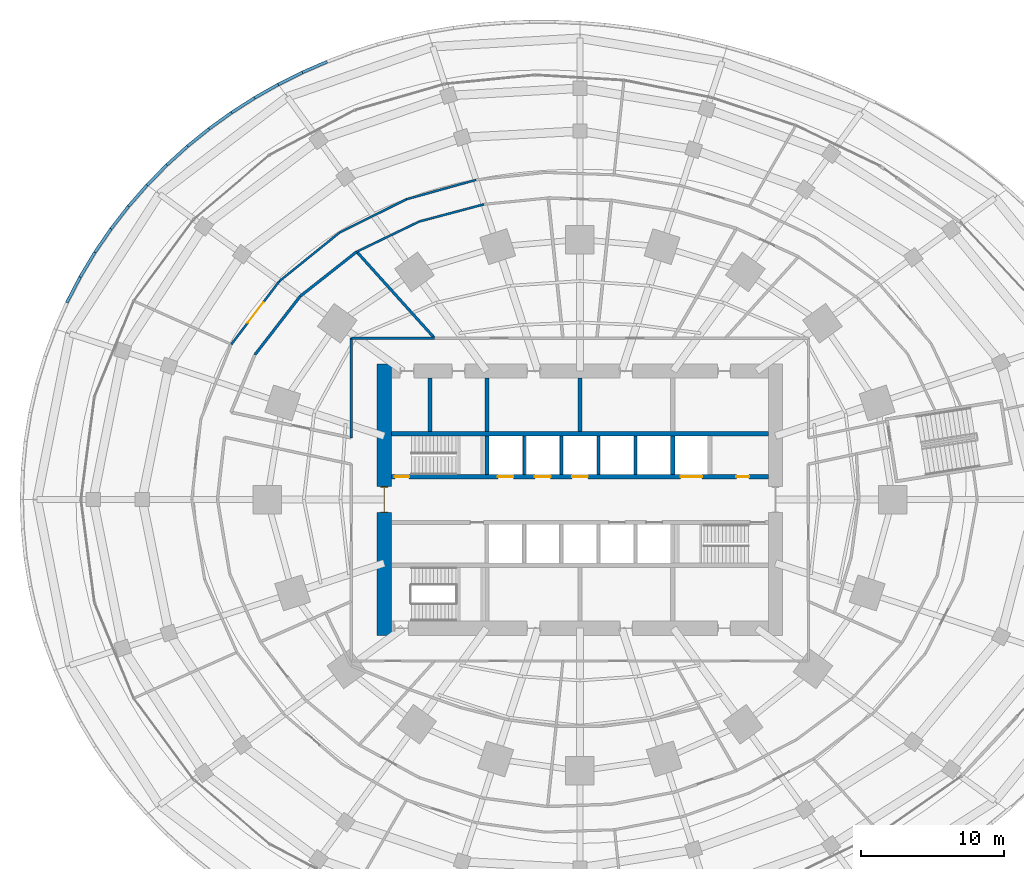
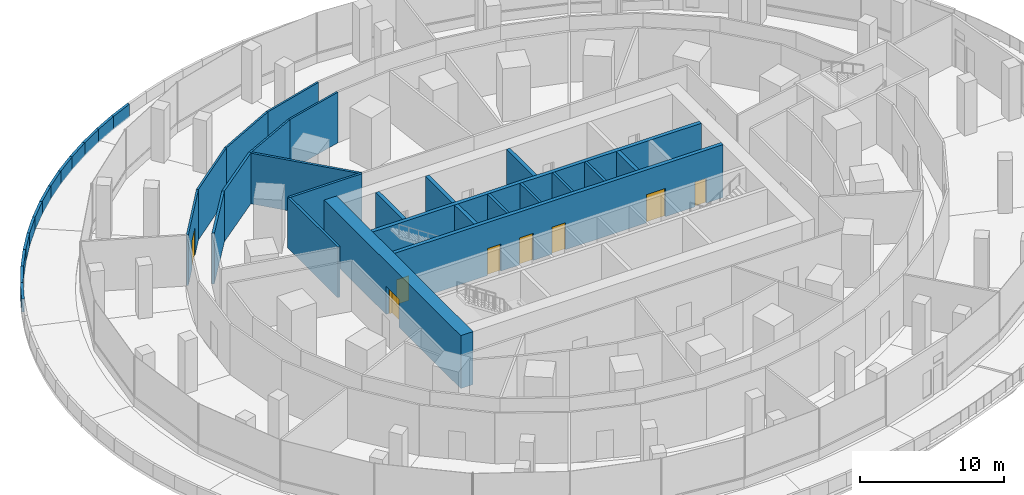
# One storey, part 21 of 27: 36 walls, 8 doors, 8 openings.
"""IFC4 building model written with IfcOpenShell, lengths in metres."""

from ifc_helpers import new_model, si_unit, direction, frame, frame_2d, origin, place, context, subcontext, project, spatial, rectangle, extrude, material, layer, layer_set, type_object, element, fill, save


model = new_model("IFC4")

# Units and contexts
model_context = context("Model", 3, precision=1e-05, world=origin(), true_north=direction((0.0, 1.0)))
body_context = subcontext(model_context, "Body", "Model", "MODEL_VIEW")
ifc_project = project(units=[si_unit("LENGTHUNIT", "METRE"), si_unit("AREAUNIT", "SQUARE_METRE"), si_unit("VOLUMEUNIT", "CUBIC_METRE"), si_unit("PLANEANGLEUNIT", "RADIAN"), si_unit("MASSUNIT", "GRAM", prefix="KILO")], contexts=[model_context])

# Site, building, storey
site_placement = place(None, origin())
site = spatial("IfcSite", under=ifc_project, at=site_placement, CompositionType="ELEMENT")
building_placement = place(site_placement, origin())
building = spatial("IfcBuilding", under=site, at=building_placement, Name="Marramba Exchange Tower", CompositionType="ELEMENT")
storey_placement = place(building_placement, frame((0.0, 0.0, 10.60009765625)))
storey = spatial("IfcBuildingStorey", under=building, at=storey_placement, Name="L02", CompositionType="ELEMENT", Elevation=10.60009765625)

# Walls
ifc_material_1 = material(Name="Concrete N50", Category="concrete")
ifc_layer_1 = layer(ifc_material_1, 0.199951171875)
ifc_layer_set_1 = layer_set([ifc_layer_1], Name="Core shaft wall 200")
wall_type_1 = type_object("IfcWallType", Name="Core shaft wall 200", PredefinedType="SHEAR", material=ifc_layer_set_1)
for number, where, z_axis, x_axis, name in (
    (1, (-3.89990234375, 1.75, 0.0), (0.0, 0.0, 1.0), (0.0, 1.0, 0.0), "Core wall SHN1 L02"),
    (2, (-1.300048828125, 1.75, 0.0), (0.0, 0.0, 1.0), (0.0, 1.0, 0.0), "Core wall SHN2 L02"),
    (3, (1.300048828125, 1.75, 0.0), (0.0, 0.0, 1.0), (0.0, 1.0, 0.0), "Core wall SHN3 L02"),
    (4, (3.89990234375, 1.75, 0.0), (0.0, 0.0, 1.0), (0.0, 1.0, 0.0), "Core wall SHN4 L02"),
):
    element("IfcWall", number, at=place(storey_placement, frame(where, z_axis=z_axis, x_axis=x_axis)), inside=storey, type_object=wall_type_1, Name=name, PredefinedType="SHEAR", context=body_context, shape_type="SweptSolid", body=[
        extrude(rectangle(XDim=2.699951171875, YDim=0.199951171875, at=frame_2d((1.35009765625, 0.0))), origin(), (0.0, 0.0, 1.0), 4.5),
    ])

# Wall, opening, door
ifc_layer_2 = layer(ifc_material_1, 1.0)
ifc_layer_set_2 = layer_set([ifc_layer_2], Name="Core wall 1000")
wall_type_2 = type_object("IfcWallType", Name="Core wall 1000", PredefinedType="SHEAR", material=ifc_layer_set_2)
wall_1_placement = place(storey_placement, frame((-13.699951171875, 9.5, 0.0), z_axis=(0.0, 0.0, 1.0), x_axis=(0.0, -1.0, 0.0)))
wall_1 = element("IfcWall", 5, at=wall_1_placement, inside=storey, type_object=wall_type_2, Name="Core wall W L02", PredefinedType="SHEAR", context=body_context, shape_type="SweptSolid", body=[
    extrude(rectangle(XDim=19.0, YDim=1.0, at=frame_2d((9.5, 0.0))), origin(), (0.0, 0.0, 1.0), 4.5),
])
opening_1_placement = place(wall_1_placement, frame((8.60009765625, 0.0, 0.0)))
opening_1 = element("IfcOpeningElement", 6, at=opening_1_placement, cuts=wall_1, Name="Opening D1", PredefinedType="OPENING", context=body_context, shape_type="SweptSolid", body=[
    extrude(rectangle(XDim=1.800048828125, YDim=2.39990234375, at=frame_2d((0.89990234375, 1.199951171875))), frame((0.0, 0.510009765625, 0.0), z_axis=(0.0, -1.0, 0.0), x_axis=(1.0, 0.0, 0.0)), (0.0, 0.0, 1.0), 1.02001953125),
])
ifc_material_2 = material(Name="Steel-framed door", Category="steel")
door_type_1 = type_object("IfcDoorType", Name="Lobby exit door 1800x2400", OperationType="DOUBLE_DOOR_SINGLE_SWING", PredefinedType="DOOR", material=ifc_material_2)
door_1_placement = place(opening_1_placement, origin())
door_1 = element("IfcDoor", 7, at=door_1_placement, inside=storey, type_object=door_type_1, Name="D1 lobby exit west L02", OperationType="DOUBLE_DOOR_SINGLE_SWING", OverallHeight=2.39990234375, OverallWidth=1.800048828125, PredefinedType="DOOR", context=body_context, shape_type="SweptSolid", body=[
    extrude(rectangle(XDim=1.719970703125, YDim=2.35986328125, at=frame_2d((0.89990234375, 1.179931640625))), frame((0.0, 0.02490234375, 0.0), z_axis=(0.0, -1.0, 0.0), x_axis=(1.0, 0.0, 0.0)), (0.0, 0.0, 1.0), 0.050048828125),
    extrude(rectangle(XDim=0.04, YDim=2.39990234375, at=frame_2d((0.02001953125, 1.199951171875))), frame((0.0, 0.25, 0.0), z_axis=(0.0, -1.0, 0.0), x_axis=(1.0, 0.0, 0.0)), (0.0, 0.0, 1.0), 0.5),
    extrude(rectangle(XDim=0.04, YDim=2.39990234375, at=frame_2d((1.780029296875, 1.199951171875))), frame((0.0, 0.25, 0.0), z_axis=(0.0, -1.0, 0.0), x_axis=(1.0, 0.0, 0.0)), (0.0, 0.0, 1.0), 0.5),
    extrude(rectangle(XDim=1.719970703125, YDim=0.04, at=frame_2d((0.89990234375, 2.3798828125))), frame((0.0, 0.25, 0.0), z_axis=(0.0, -1.0, 0.0), x_axis=(1.0, 0.0, 0.0)), (0.0, 0.0, 1.0), 0.5),
])
fill(opening_1, door_1)

# Wall, openings, doors
ifc_layer_3 = layer(ifc_material_1, 0.300048828125)
ifc_layer_set_3 = layer_set([ifc_layer_3], Name="Core wall 300")
wall_type_3 = type_object("IfcWallType", Name="Core wall 300", PredefinedType="SHEAR", material=ifc_layer_set_3)
wall_2_placement = place(storey_placement, frame((-13.199951171875, 1.60009765625, 0.0), z_axis=(0.0, 0.0, 1.0), x_axis=(1.0, 0.0, 0.0)))
wall_2 = element("IfcWall", 8, at=wall_2_placement, inside=storey, type_object=wall_type_3, Name="Core wall LN L02", PredefinedType="SHEAR", context=body_context, shape_type="SweptSolid", body=[
    extrude(rectangle(XDim=26.39990234375, YDim=0.300048828125, at=frame_2d((13.199951171875, 0.0))), origin(), (0.0, 0.0, 1.0), 4.5),
])
opening_2_placement = place(wall_2_placement, frame((0.25, 0.0, 0.0)))
opening_2 = element("IfcOpeningElement", 9, at=opening_2_placement, cuts=wall_2, Name="Opening D2", PredefinedType="OPENING", context=body_context, shape_type="SweptSolid", body=[
    extrude(rectangle(XDim=1.0, YDim=2.10009765625, at=frame_2d((0.5, 1.050048828125))), frame((0.0, 0.159912109375, 0.0), z_axis=(0.0, -1.0, 0.0), x_axis=(1.0, 0.0, 0.0)), (0.0, 0.0, 1.0), 0.320068359375),
])
opening_3_placement = place(wall_2_placement, frame((20.25, 0.0, 0.0)))
opening_3 = element("IfcOpeningElement", 10, at=opening_3_placement, cuts=wall_2, Name="Opening LD3", PredefinedType="OPENING", context=body_context, shape_type="SweptSolid", body=[
    extrude(rectangle(XDim=1.5, YDim=2.39990234375, at=frame_2d((0.75, 1.199951171875))), frame((0.0, 0.159912109375, 0.0), z_axis=(0.0, -1.0, 0.0), x_axis=(1.0, 0.0, 0.0)), (0.0, 0.0, 1.0), 0.320068359375),
])
opening_4_placement = place(wall_2_placement, frame((7.449951171875, 0.0, 0.0)))
opening_4 = element("IfcOpeningElement", 11, at=opening_4_placement, cuts=wall_2, Name="Opening LD1", PredefinedType="OPENING", context=body_context, shape_type="SweptSolid", body=[
    extrude(rectangle(XDim=1.10009765625, YDim=2.300048828125, at=frame_2d((0.550048828125, 1.14990234375))), frame((0.0, 0.159912109375, 0.0), z_axis=(0.0, -1.0, 0.0), x_axis=(1.0, 0.0, 0.0)), (0.0, 0.0, 1.0), 0.320068359375),
])
opening_5_placement = place(wall_2_placement, frame((10.050048828125, 0.0, 0.0)))
opening_5 = element("IfcOpeningElement", 12, at=opening_5_placement, cuts=wall_2, Name="Opening LD1", PredefinedType="OPENING", context=body_context, shape_type="SweptSolid", body=[
    extrude(rectangle(XDim=1.10009765625, YDim=2.300048828125, at=frame_2d((0.550048828125, 1.14990234375))), frame((0.0, 0.159912109375, 0.0), z_axis=(0.0, -1.0, 0.0), x_axis=(1.0, 0.0, 0.0)), (0.0, 0.0, 1.0), 0.320068359375),
])
opening_6_placement = place(wall_2_placement, frame((12.64990234375, 0.0, 0.0)))
opening_6 = element("IfcOpeningElement", 13, at=opening_6_placement, cuts=wall_2, Name="Opening LD1", PredefinedType="OPENING", context=body_context, shape_type="SweptSolid", body=[
    extrude(rectangle(XDim=1.10009765625, YDim=2.300048828125, at=frame_2d((0.550048828125, 1.14990234375))), frame((0.0, 0.159912109375, 0.0), z_axis=(0.0, -1.0, 0.0), x_axis=(1.0, 0.0, 0.0)), (0.0, 0.0, 1.0), 0.320068359375),
])
opening_7_placement = place(wall_2_placement, frame((24.14990234375, 0.0, 0.0)))
opening_7 = element("IfcOpeningElement", 14, at=opening_7_placement, cuts=wall_2, Name="Opening D5", PredefinedType="OPENING", context=body_context, shape_type="SweptSolid", body=[
    extrude(rectangle(XDim=0.89990234375, YDim=2.10009765625, at=frame_2d((0.449951171875, 1.050048828125))), frame((0.0, 0.159912109375, 0.0), z_axis=(0.0, -1.0, 0.0), x_axis=(1.0, 0.0, 0.0)), (0.0, 0.0, 1.0), 0.320068359375),
])
door_type_2 = type_object("IfcDoorType", Name="Goods lift landing door 1500x2400", OperationType="SLIDING_TO_LEFT", PredefinedType="DOOR", material=ifc_material_2)
door_2_placement = place(opening_3_placement, origin())
door_2 = element("IfcDoor", 15, at=door_2_placement, inside=storey, type_object=door_type_2, Name="GL1 landing door L02", OperationType="SLIDING_TO_LEFT", OverallHeight=2.39990234375, OverallWidth=1.5, PredefinedType="DOOR", context=body_context, shape_type="SweptSolid", body=[
    extrude(rectangle(XDim=1.5, YDim=2.39990234375, at=frame_2d((0.75, 1.199951171875))), frame((0.0, 0.02490234375, 0.0), z_axis=(0.0, -1.0, 0.0), x_axis=(1.0, 0.0, 0.0)), (0.0, 0.0, 1.0), 0.050048828125),
])
fill(opening_3, door_2)
door_type_3 = type_object("IfcDoorType", Name="Lift landing door 1100x2300", OperationType="SLIDING_TO_LEFT", PredefinedType="DOOR", material=ifc_material_2)
door_3_placement = place(opening_4_placement, origin())
door_3 = element("IfcDoor", 16, at=door_3_placement, inside=storey, type_object=door_type_3, Name="LA1 landing door L02", OperationType="SLIDING_TO_LEFT", OverallHeight=2.300048828125, OverallWidth=1.10009765625, PredefinedType="DOOR", context=body_context, shape_type="SweptSolid", body=[
    extrude(rectangle(XDim=1.10009765625, YDim=2.300048828125, at=frame_2d((0.550048828125, 1.14990234375))), frame((0.0, 0.02490234375, 0.0), z_axis=(0.0, -1.0, 0.0), x_axis=(1.0, 0.0, 0.0)), (0.0, 0.0, 1.0), 0.050048828125),
])
fill(opening_4, door_3)
door_4_placement = place(opening_5_placement, origin())
door_4 = element("IfcDoor", 17, at=door_4_placement, inside=storey, type_object=door_type_3, Name="LA2 landing door L02", OperationType="SLIDING_TO_LEFT", OverallHeight=2.300048828125, OverallWidth=1.10009765625, PredefinedType="DOOR", context=body_context, shape_type="SweptSolid", body=[
    extrude(rectangle(XDim=1.10009765625, YDim=2.300048828125, at=frame_2d((0.550048828125, 1.14990234375))), frame((0.0, 0.02490234375, 0.0), z_axis=(0.0, -1.0, 0.0), x_axis=(1.0, 0.0, 0.0)), (0.0, 0.0, 1.0), 0.050048828125),
])
fill(opening_5, door_4)
door_5_placement = place(opening_6_placement, origin())
door_5 = element("IfcDoor", 18, at=door_5_placement, inside=storey, type_object=door_type_3, Name="LA3 landing door L02", OperationType="SLIDING_TO_RIGHT", OverallHeight=2.300048828125, OverallWidth=1.10009765625, PredefinedType="DOOR", context=body_context, shape_type="SweptSolid", body=[
    extrude(rectangle(XDim=1.10009765625, YDim=2.300048828125, at=frame_2d((0.550048828125, 1.14990234375))), frame((0.0, 0.02490234375, 0.0), z_axis=(0.0, -1.0, 0.0), x_axis=(1.0, 0.0, 0.0)), (0.0, 0.0, 1.0), 0.050048828125),
])
fill(opening_6, door_5)
door_type_4 = type_object("IfcDoorType", Name="Service door 900x2100", OperationType="SINGLE_SWING_LEFT", PredefinedType="DOOR", material=ifc_material_2)
door_6_placement = place(opening_7_placement, origin())
door_6 = element("IfcDoor", 19, at=door_6_placement, inside=storey, type_object=door_type_4, Name="D5 riser L02", OperationType="SINGLE_SWING_RIGHT", OverallHeight=2.10009765625, OverallWidth=0.89990234375, PredefinedType="DOOR", context=body_context, shape_type="SweptSolid", body=[
    extrude(rectangle(XDim=0.89990234375, YDim=2.10009765625, at=frame_2d((0.449951171875, 1.050048828125))), frame((0.0, 0.02490234375, 0.0), z_axis=(0.0, -1.0, 0.0), x_axis=(1.0, 0.0, 0.0)), (0.0, 0.0, 1.0), 0.050048828125),
])
fill(opening_7, door_6)
door_type_5 = type_object("IfcDoorType", Name="Stair door 1000x2100", OperationType="SINGLE_SWING_LEFT", PredefinedType="DOOR", material=ifc_material_2)
door_7_placement = place(opening_2_placement, origin())
door_7 = element("IfcDoor", 20, at=door_7_placement, inside=storey, type_object=door_type_5, Name="D2 stair ST1 L02", OperationType="SINGLE_SWING_LEFT", OverallHeight=2.10009765625, OverallWidth=1.0, PredefinedType="DOOR", context=body_context, shape_type="SweptSolid", body=[
    extrude(rectangle(XDim=1.0, YDim=2.10009765625, at=frame_2d((0.5, 1.050048828125))), frame((0.0, 0.02490234375, 0.0), z_axis=(0.0, -1.0, 0.0), x_axis=(1.0, 0.0, 0.0)), (0.0, 0.0, 1.0), 0.050048828125),
])
fill(opening_2, door_7)

# Walls
wall_3_placement = place(storey_placement, frame((-13.199951171875, 4.60009765625, 0.0), z_axis=(0.0, 0.0, 1.0), x_axis=(1.0, 0.0, 0.0)))
element("IfcWall", 21, at=wall_3_placement, inside=storey, type_object=wall_type_3, Name="Core wall BN L02", PredefinedType="SHEAR", context=body_context, shape_type="SweptSolid", body=[
    extrude(rectangle(XDim=26.39990234375, YDim=0.300048828125, at=frame_2d((13.199951171875, 0.0))), origin(), (0.0, 0.0, 1.0), 4.5),
])
wall_4_placement = place(storey_placement, frame((-6.5, 1.75, 0.0), z_axis=(0.0, 0.0, 1.0), x_axis=(0.0, 1.0, 0.0)))
element("IfcWall", 22, at=wall_4_placement, inside=storey, type_object=wall_type_3, Name="Core wall X0Na L02", PredefinedType="SHEAR", context=body_context, shape_type="SweptSolid", body=[
    extrude(rectangle(XDim=2.699951171875, YDim=0.300048828125, at=frame_2d((1.35009765625, 0.0))), origin(), (0.0, 0.0, 1.0), 4.5),
])
wall_5_placement = place(storey_placement, frame((-6.5, 4.75, 0.0), z_axis=(0.0, 0.0, 1.0), x_axis=(0.0, 1.0, 0.0)))
element("IfcWall", 23, at=wall_5_placement, inside=storey, type_object=wall_type_3, Name="Core wall X0Nb L02", PredefinedType="SHEAR", context=body_context, shape_type="SweptSolid", body=[
    extrude(rectangle(XDim=3.75, YDim=0.300048828125, at=frame_2d((1.875, 0.0))), origin(), (0.0, 0.0, 1.0), 4.5),
])
wall_6_placement = place(storey_placement, frame((6.5, 1.75, 0.0), z_axis=(0.0, 0.0, 1.0), x_axis=(0.0, 1.0, 0.0)))
element("IfcWall", 24, at=wall_6_placement, inside=storey, type_object=wall_type_3, Name="Core wall X1Na L02", PredefinedType="SHEAR", context=body_context, shape_type="SweptSolid", body=[
    extrude(rectangle(XDim=2.699951171875, YDim=0.300048828125, at=frame_2d((1.35009765625, 0.0))), origin(), (0.0, 0.0, 1.0), 4.5),
])
for number, where, z_axis, x_axis, name in (
    (25, (0.0, 4.75, 0.0), (0.0, 0.0, 1.0), (0.0, 1.0, 0.0), "Core wall MN L02"),
    (26, (-10.5, 4.75, 0.0), (0.0, 0.0, 1.0), (0.0, 1.0, 0.0), "Core wall WD L02"),
):
    element("IfcWall", number, at=place(storey_placement, frame(where, z_axis=z_axis, x_axis=x_axis)), inside=storey, type_object=wall_type_3, Name=name, PredefinedType="SHEAR", context=body_context, shape_type="SweptSolid", body=[
        extrude(rectangle(XDim=3.75, YDim=0.300048828125, at=frame_2d((1.875, 0.0))), origin(), (0.0, 0.0, 1.0), 4.5),
    ])
ifc_material_3 = material(Name="Core-filled concrete blockwork, rendered", Category="masonry")
ifc_layer_4 = layer(ifc_material_3, 0.18994140625)
ifc_layer_set_4 = layer_set([ifc_layer_4], Name="Equipment room wall 190")
wall_type_4 = type_object("IfcWallType", Name="Equipment room wall 190", PredefinedType="SOLIDWALL", material=ifc_layer_set_4)
wall_7_placement = place(storey_placement, frame((-10.174560546875, 11.300048828125, 0.0), z_axis=(0.0, 0.0, 1.0), x_axis=(-0.669125325145, 0.74314958067, 0.0)))
element("IfcWall", 27, at=wall_7_placement, inside=storey, type_object=wall_type_4, Name="Equipment room wall L02 94", PredefinedType="SOLIDWALL", context=body_context, shape_type="SweptSolid", body=[
    extrude(rectangle(XDim=8.146240234375, YDim=0.18994140625, at=frame_2d((4.0732421875, 0.0))), origin(), (0.0, 0.0, 1.0), 4.2998046875),
])
wall_8_placement = place(storey_placement, frame((-19.587158203125, 14.230712890625, 0.0), z_axis=(0.0, 0.0, 1.0), x_axis=(0.785301291608, 0.619113787117, 0.0)))
element("IfcWall", 28, at=wall_8_placement, inside=storey, type_object=wall_type_4, Name="Equipment room wall L02 96", PredefinedType="SOLIDWALL", context=body_context, shape_type="SweptSolid", body=[
    extrude(rectangle(XDim=5.044677734375, YDim=0.18994140625, at=frame_2d((2.5224609375, 0.0))), origin(), (0.0, 0.0, 1.0), 4.2998046875),
])
wall_9_placement = place(storey_placement, frame((-10.174560546875, 11.300048828125, 0.0), z_axis=(0.0, 0.0, 1.0), x_axis=(-1.0, 0.0, 0.0)))
element("IfcWall", 29, at=wall_9_placement, inside=storey, type_object=wall_type_4, Name="Equipment room wall L02 97", PredefinedType="SOLIDWALL", context=body_context, shape_type="SweptSolid", body=[
    extrude(rectangle(XDim=5.825439453125, YDim=0.18994140625, at=frame_2d((2.91259765625, 0.0))), origin(), (0.0, 0.0, 1.0), 4.2998046875),
])
wall_10_placement = place(storey_placement, frame((-22.760498046875, 10.133544921875, 0.0), z_axis=(0.0, 0.0, 1.0), x_axis=(0.612334708693, 0.790598636812, 0.0)))
element("IfcWall", 30, at=wall_10_placement, inside=storey, type_object=wall_type_4, Name="Equipment room wall L02 99", PredefinedType="SOLIDWALL", context=body_context, shape_type="SweptSolid", body=[
    extrude(rectangle(XDim=5.182373046875, YDim=0.18994140625, at=frame_2d((2.59130859375, 0.0))), origin(), (0.0, 0.0, 1.0), 4.2998046875),
])
wall_11_placement = place(storey_placement, frame((-16.0, 11.300048828125, 0.0), z_axis=(0.0, 0.0, 1.0), x_axis=(0.0, -1.0, 0.0)))
element("IfcWall", 31, at=wall_11_placement, inside=storey, type_object=wall_type_4, Name="Equipment room wall L02 100", PredefinedType="SOLIDWALL", context=body_context, shape_type="SweptSolid", body=[
    extrude(rectangle(XDim=6.97900390625, YDim=0.18994140625, at=frame_2d((3.489501953125, 0.0))), origin(), (0.0, 0.0, 1.0), 4.2998046875),
])
ifc_material_4 = material(Name="Concrete N40", Category="concrete")
ifc_layer_5 = layer(ifc_material_4, 0.199951171875)
ifc_layer_set_5 = layer_set([ifc_layer_5], Name="Roof parapet 200")
wall_type_5 = type_object("IfcWallType", Name="Roof parapet 200", PredefinedType="PARAPET", material=ifc_layer_set_5)
wall_12_placement = place(storey_placement, frame((-17.70068359375, 30.65869140625, 0.0), z_axis=(0.0, 0.0, 1.0), x_axis=(-0.917082452018, -0.398697599942, 0.0)))
element("IfcWall", 32, at=wall_12_placement, inside=storey, type_object=wall_type_5, Name="Parapet L02 bay 07", PredefinedType="PARAPET", context=body_context, shape_type="SweptSolid", body=[
    extrude(rectangle(XDim=1.878662109375, YDim=0.199951171875, at=frame_2d((0.939453125, 0.0))), origin(), (0.0, 0.0, 1.0), 1.099853515625),
])
wall_13_placement = place(storey_placement, frame((-19.423583984375, 29.90966796875, 0.0), z_axis=(0.0, 0.0, 1.0), x_axis=(-0.895045563727, -0.445974706516, 0.0)))
element("IfcWall", 33, at=wall_13_placement, inside=storey, type_object=wall_type_5, Name="Parapet L02 bay 07", PredefinedType="PARAPET", context=body_context, shape_type="SweptSolid", body=[
    extrude(rectangle(XDim=1.892578125, YDim=0.199951171875, at=frame_2d((0.9462890625, 0.0))), origin(), (0.0, 0.0, 1.0), 1.099853515625),
])
wall_14_placement = place(storey_placement, frame((-21.117431640625, 29.065673828125, 0.0), z_axis=(0.0, 0.0, 1.0), x_axis=(-0.870128372589, -0.49282513655, 0.0)))
element("IfcWall", 34, at=wall_14_placement, inside=storey, type_object=wall_type_5, Name="Parapet L02 bay 08", PredefinedType="PARAPET", context=body_context, shape_type="SweptSolid", body=[
    extrude(rectangle(XDim=1.90625, YDim=0.199951171875, at=frame_2d((0.953125, 0.0))), origin(), (0.0, 0.0, 1.0), 1.099853515625),
])
wall_15_placement = place(storey_placement, frame((-22.776123046875, 28.126220703125, 0.0), z_axis=(0.0, 0.0, 1.0), x_axis=(-0.842160518729, -0.53922691021, 0.0)))
element("IfcWall", 35, at=wall_15_placement, inside=storey, type_object=wall_type_5, Name="Parapet L02 bay 08", PredefinedType="PARAPET", context=body_context, shape_type="SweptSolid", body=[
    extrude(rectangle(XDim=1.919677734375, YDim=0.199951171875, at=frame_2d((0.9599609375, 0.0))), origin(), (0.0, 0.0, 1.0), 1.099853515625),
])
wall_16_placement = place(storey_placement, frame((-24.392822265625, 27.091064453125, 0.0), z_axis=(0.0, 0.0, 1.0), x_axis=(-0.811371406803, -0.584530957454, 0.0)))
element("IfcWall", 36, at=wall_16_placement, inside=storey, type_object=wall_type_5, Name="Parapet L02 bay 08", PredefinedType="PARAPET", context=body_context, shape_type="SweptSolid", body=[
    extrude(rectangle(XDim=1.932861328125, YDim=0.199951171875, at=frame_2d((0.96630859375, 0.0))), origin(), (0.0, 0.0, 1.0), 1.099853515625),
])
wall_17_placement = place(storey_placement, frame((-25.961181640625, 25.961181640625, 0.0), z_axis=(0.0, 0.0, 1.0), x_axis=(-0.777428951091, -0.62897076721, 0.0)))
element("IfcWall", 37, at=wall_17_placement, inside=storey, type_object=wall_type_5, Name="Parapet L02 bay 08", PredefinedType="PARAPET", context=body_context, shape_type="SweptSolid", body=[
    extrude(rectangle(XDim=1.945556640625, YDim=0.199951171875, at=frame_2d((0.97265625, 0.0))), origin(), (0.0, 0.0, 1.0), 1.099853515625),
])
wall_18_placement = place(storey_placement, frame((-27.4736328125, 24.737548828125, 0.0), z_axis=(0.0, 0.0, 1.0), x_axis=(-0.74068440055, -0.671853122923, 0.0)))
element("IfcWall", 38, at=wall_18_placement, inside=storey, type_object=wall_type_5, Name="Parapet L02 bay 08", PredefinedType="PARAPET", context=body_context, shape_type="SweptSolid", body=[
    extrude(rectangle(XDim=1.9580078125, YDim=0.199951171875, at=frame_2d((0.97900390625, 0.0))), origin(), (0.0, 0.0, 1.0), 1.099853515625),
])
wall_19_placement = place(storey_placement, frame((-28.923828125, 23.422119140625, 0.0), z_axis=(0.0, 0.0, 1.0), x_axis=(-0.701006541383, -0.713154842189, 0.0)))
element("IfcWall", 39, at=wall_19_placement, inside=storey, type_object=wall_type_5, Name="Parapet L02 bay 08", PredefinedType="PARAPET", context=body_context, shape_type="SweptSolid", body=[
    extrude(rectangle(XDim=1.969482421875, YDim=0.199951171875, at=frame_2d((0.98486328125, 0.0))), origin(), (0.0, 0.0, 1.0), 1.099853515625),
])
wall_20_placement = place(storey_placement, frame((-30.304443359375, 22.017578125, 0.0), z_axis=(0.0, 0.0, 1.0), x_axis=(-0.658452248257, -0.752622506151, 0.0)))
element("IfcWall", 40, at=wall_20_placement, inside=storey, type_object=wall_type_5, Name="Parapet L02 bay 09", PredefinedType="PARAPET", context=body_context, shape_type="SweptSolid", body=[
    extrude(rectangle(XDim=1.980712890625, YDim=0.199951171875, at=frame_2d((0.990234375, 0.0))), origin(), (0.0, 0.0, 1.0), 1.099853515625),
])
wall_21_placement = place(storey_placement, frame((-31.608642578125, 20.52685546875, 0.0), z_axis=(0.0, 0.0, 1.0), x_axis=(-0.612929786797, -0.790137378218, 0.0)))
element("IfcWall", 41, at=wall_21_placement, inside=storey, type_object=wall_type_5, Name="Parapet L02 bay 09", PredefinedType="PARAPET", context=body_context, shape_type="SweptSolid", body=[
    extrude(rectangle(XDim=1.99072265625, YDim=0.199951171875, at=frame_2d((0.995361328125, 0.0))), origin(), (0.0, 0.0, 1.0), 1.099853515625),
])
wall_22_placement = place(storey_placement, frame((-32.828857421875, 18.953857421875, 0.0), z_axis=(0.0, 0.0, 1.0), x_axis=(-0.564740783421, -0.825268348806, 0.0)))
element("IfcWall", 42, at=wall_22_placement, inside=storey, type_object=wall_type_5, Name="Parapet L02 bay 09", PredefinedType="PARAPET", context=body_context, shape_type="SweptSolid", body=[
    extrude(rectangle(XDim=2.000732421875, YDim=0.199951171875, at=frame_2d((1.00048828125, 0.0))), origin(), (0.0, 0.0, 1.0), 1.099853515625),
])
wall_23_placement = place(storey_placement, frame((-33.958740234375, 17.302734375, 0.0), z_axis=(0.0, 0.0, 1.0), x_axis=(-0.513959610248, -0.857814384954, 0.0)))
element("IfcWall", 43, at=wall_23_placement, inside=storey, type_object=wall_type_5, Name="Parapet L02 bay 09", PredefinedType="PARAPET", context=body_context, shape_type="SweptSolid", body=[
    extrude(rectangle(XDim=2.00927734375, YDim=0.199951171875, at=frame_2d((1.004638671875, 0.0))), origin(), (0.0, 0.0, 1.0), 1.099853515625),
])
wall_24_placement = place(storey_placement, frame((-34.991455078125, 15.5791015625, 0.0), z_axis=(0.0, 0.0, 1.0), x_axis=(-0.460430217166, -0.88769590239, 0.0)))
element("IfcWall", 44, at=wall_24_placement, inside=storey, type_object=wall_type_5, Name="Parapet L02 bay 09", PredefinedType="PARAPET", context=body_context, shape_type="SweptSolid", body=[
    extrude(rectangle(XDim=2.01708984375, YDim=0.199951171875, at=frame_2d((1.008544921875, 0.0))), origin(), (0.0, 0.0, 1.0), 1.099853515625),
])
ifc_material_5 = material(Name="Fire-rated plasterboard on steel studs, acoustic insulation", Category="steel")
ifc_layer_6 = layer(ifc_material_5, 0.14990234375)
ifc_layer_set_6 = layer_set([ifc_layer_6], Name="Tenancy wall 150")
wall_type_6 = type_object("IfcWallType", Name="Tenancy wall 150", PredefinedType="PARTITIONING", material=ifc_layer_set_6)
wall_25_placement = place(storey_placement, frame((-7.27294921875, 22.384033203125, 0.0), z_axis=(0.0, 0.0, 1.0), x_axis=(-0.963366864015, -0.26818703421, 0.0)))
element("IfcWall", 45, at=wall_25_placement, inside=storey, type_object=wall_type_6, Name="Tenancy wall L02 89", PredefinedType="PARTITIONING", context=body_context, shape_type="SweptSolid", body=[
    extrude(rectangle(XDim=5.05322265625, YDim=0.14990234375, at=frame_2d((2.526611328125, 0.0))), origin(), (0.0, 0.0, 1.0), 4.2998046875),
])
wall_26_placement = place(storey_placement, frame((-11.240966796875, 19.469970703125, 0.0), z_axis=(0.0, 0.0, 1.0), x_axis=(0.966463084347, 0.256805581314, 0.0)))
element("IfcWall", 46, at=wall_26_placement, inside=storey, type_object=wall_type_6, Name="Tenancy wall L02 90", PredefinedType="PARTITIONING", context=body_context, shape_type="SweptSolid", body=[
    extrude(rectangle(XDim=4.68115234375, YDim=0.14990234375, at=frame_2d((2.340576171875, 0.0))), origin(), (0.0, 0.0, 1.0), 4.2998046875),
])
wall_27_placement = place(storey_placement, frame((-12.14111328125, 21.02880859375, 0.0), z_axis=(0.0, 0.0, 1.0), x_axis=(-0.894985683097, -0.446094863287, 0.0)))
element("IfcWall", 47, at=wall_27_placement, inside=storey, type_object=wall_type_6, Name="Tenancy wall L02 92", PredefinedType="PARTITIONING", context=body_context, shape_type="SweptSolid", body=[
    extrude(rectangle(XDim=5.2392578125, YDim=0.14990234375, at=frame_2d((2.61962890625, 0.0))), origin(), (0.0, 0.0, 1.0), 4.2998046875),
])
wall_28_placement = place(storey_placement, frame((-15.62548828125, 17.35400390625, 0.0), z_axis=(0.0, 0.0, 1.0), x_axis=(0.900607821676, 0.434632662758, 0.0)))
element("IfcWall", 48, at=wall_28_placement, inside=storey, type_object=wall_type_6, Name="Tenancy wall L02 93", PredefinedType="PARTITIONING", context=body_context, shape_type="SweptSolid", body=[
    extrude(rectangle(XDim=4.868408203125, YDim=0.14990234375, at=frame_2d((2.43408203125, 0.0))), origin(), (0.0, 0.0, 1.0), 4.2998046875),
])
wall_29_placement = place(storey_placement, frame((-16.830078125, 18.691650390625, 0.0), z_axis=(0.0, 0.0, 1.0), x_axis=(-0.77794880786, -0.628327663206, 0.0)))
element("IfcWall", 49, at=wall_29_placement, inside=storey, type_object=wall_type_6, Name="Tenancy wall L02 95", PredefinedType="PARTITIONING", context=body_context, shape_type="SweptSolid", body=[
    extrude(rectangle(XDim=5.415771484375, YDim=0.14990234375, at=frame_2d((2.7080078125, 0.0))), origin(), (0.0, 0.0, 1.0), 4.2998046875),
])

# Wall, opening, door
wall_30_placement = place(storey_placement, frame((-21.043212890625, 15.288818359375, 0.0), z_axis=(0.0, 0.0, 1.0), x_axis=(-0.605085496004, -0.79616050048, 0.0)))
wall_30 = element("IfcWall", 50, at=wall_30_placement, inside=storey, type_object=wall_type_6, Name="Tenancy wall L02 98", PredefinedType="PARTITIONING", context=body_context, shape_type="SweptSolid", body=[
    extrude(rectangle(XDim=5.555419921875, YDim=0.14990234375, at=frame_2d((2.77783203125, 0.0))), origin(), (0.0, 0.0, 1.0), 4.2998046875),
])
opening_8_placement = place(wall_30_placement, frame((1.85302734375, 0.0, 0.0)))
opening_8 = element("IfcOpeningElement", 51, at=opening_8_placement, cuts=wall_30, Name="Opening D18", PredefinedType="OPENING", context=body_context, shape_type="SweptSolid", body=[
    extrude(rectangle(XDim=1.800048828125, YDim=2.39990234375, at=frame_2d((0.89990234375, 1.199951171875))), frame((0.0, 0.0849609375, 0.0), z_axis=(0.0, -1.0, 0.0), x_axis=(1.0, 0.0, 0.0)), (0.0, 0.0, 1.0), 0.169921875),
])
door_type_6 = type_object("IfcDoorType", Name="Door pair 1800x2400", OperationType="DOUBLE_DOOR_SINGLE_SWING", PredefinedType="DOOR", material=ifc_material_2)
door_8_placement = place(opening_8_placement, origin())
door_8 = element("IfcDoor", 52, at=door_8_placement, inside=storey, type_object=door_type_6, Name="D18 Disaster Recovery Data Hall L02", OperationType="DOUBLE_DOOR_SINGLE_SWING", OverallHeight=2.39990234375, OverallWidth=1.800048828125, PredefinedType="DOOR", context=body_context, shape_type="SweptSolid", body=[
    extrude(rectangle(XDim=1.800048828125, YDim=2.39990234375, at=frame_2d((0.89990234375, 1.199951171875))), frame((0.0, 0.02490234375, 0.0), z_axis=(0.0, -1.0, 0.0), x_axis=(1.0, 0.0, 0.0)), (0.0, 0.0, 1.0), 0.050048828125),
])
fill(opening_8, door_8)

save(model, "model.ifc")
